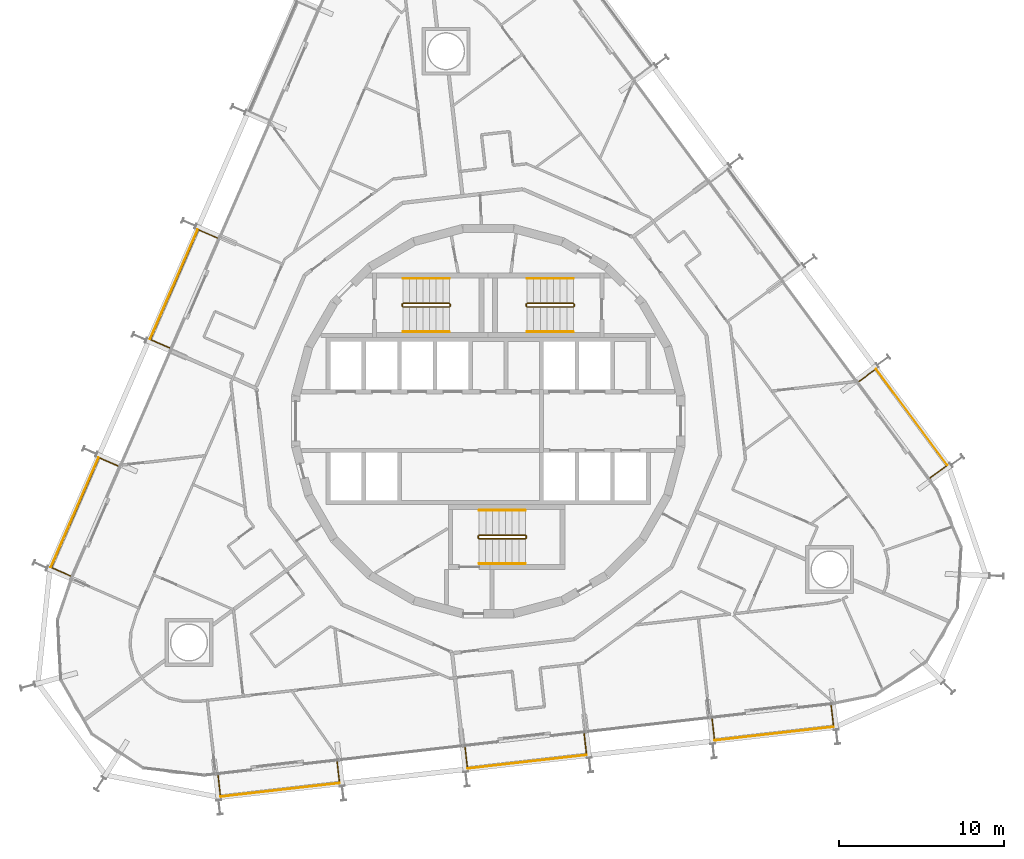
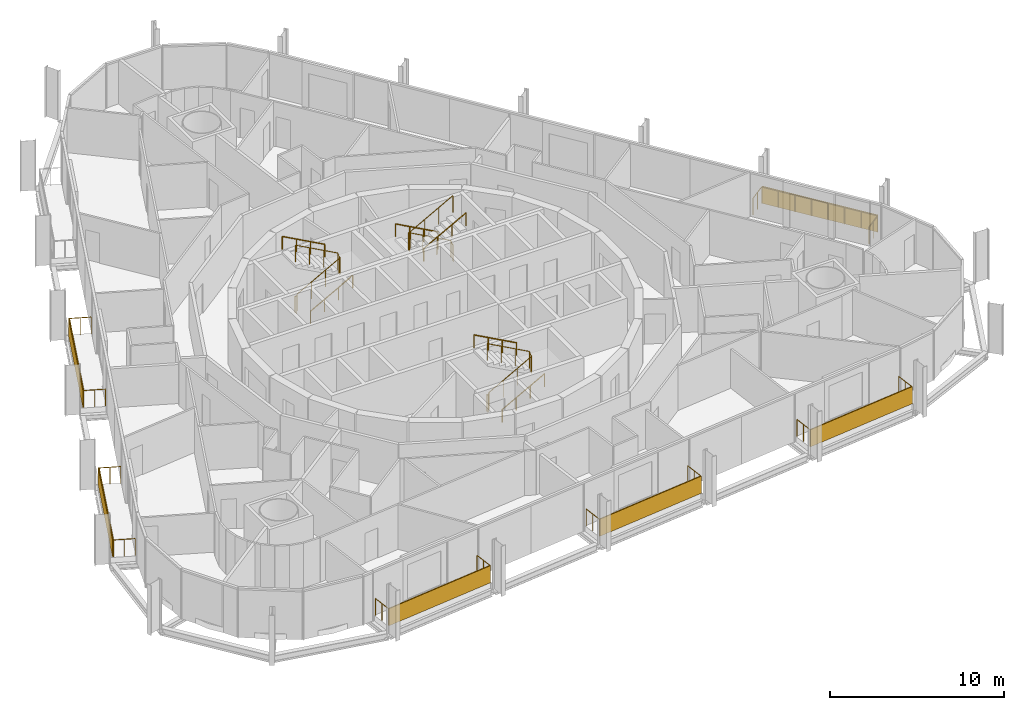
# One storey, part 23 of 24: 15 railings, 6 shading devices.
"""IFC4 building model written with IfcOpenShell, lengths in metres."""

from ifc_helpers import new_model, si_unit, direction, frame, origin, origin_2d, place, context, subcontext, project, spatial, rectangle, circle, extrude, material, layer, layer_set, type_object, element, save


model = new_model("IFC4")

# Units and contexts
model_context = context("Model", 3, precision=1e-05, world=origin(), true_north=direction((0.0, 1.0)))
body_context = subcontext(model_context, "Body", "Model", "MODEL_VIEW")
ifc_project = project(units=[si_unit("LENGTHUNIT", "METRE"), si_unit("AREAUNIT", "SQUARE_METRE"), si_unit("VOLUMEUNIT", "CUBIC_METRE"), si_unit("PLANEANGLEUNIT", "RADIAN"), si_unit("MASSUNIT", "GRAM", prefix="KILO")], contexts=[model_context])

# Site, building, storey
site_placement = place(None, origin())
site = spatial("IfcSite", under=ifc_project, at=site_placement, CompositionType="ELEMENT")
building_placement = place(site_placement, origin())
building = spatial("IfcBuilding", under=site, at=building_placement, Name="Spindle Arch Residences", CompositionType="ELEMENT")
storey_placement = place(building_placement, frame((0.0, 0.0, 101.199951171875)))
storey = spatial("IfcBuildingStorey", under=building, at=storey_placement, Name="L24", CompositionType="ELEMENT", Elevation=101.199951171875)

# Railings
ifc_material_1 = material(Name="Bronze anodised aluminium guard with glass infill", Category="aluminium")
railing_type_1 = type_object("IfcRailingType", Name="Balcony guard 1200", PredefinedType="GUARDRAIL", material=ifc_material_1)
railing_1_placement = place(storey_placement, frame((13.54150390625, -18.030517578125, 0.0)))
element("IfcRailing", 1, at=railing_1_placement, inside=storey, type_object=railing_type_1, Name="Guard L24 bay 2", PredefinedType="GUARDRAIL", context=body_context, shape_type="SweptSolid", body=[
    extrude(circle(Radius=0.02392578125, at=origin_2d()), frame((0.0, 0.0, 1.17578125), z_axis=(0.113089367196, -0.993584820248, 0.0), x_axis=(0.993584820248, 0.113089367196, 0.0)), (0.0, 0.0, 1.0), 1.25),
    extrude(circle(Radius=0.02392578125, at=origin_2d()), frame((0.141357421875, -1.241943359375, 1.17578125), z_axis=(0.993572236179, 0.113199874095, 0.0), x_axis=(-0.113199874095, 0.993572236179, 0.0)), (0.0, 0.0, 1.0), 7.248779296875),
    extrude(circle(Radius=0.02392578125, at=origin_2d()), frame((7.343505859375, -0.42138671875, 1.17578125), z_axis=(-0.113089367196, 0.993584820248, 0.0), x_axis=(-0.993584820248, -0.113089367196, 0.0)), (0.0, 0.0, 1.0), 1.25),
    extrude(circle(Radius=0.02099609375, at=origin_2d()), origin(), (0.0, 0.0, 1.0), 1.15185546875),
    extrude(circle(Radius=0.02099609375, at=origin_2d()), frame((0.07080078125, -0.62109375, 0.0)), (0.0, 0.0, 1.0), 1.15185546875),
    extrude(circle(Radius=0.02099609375, at=origin_2d()), frame((0.141357421875, -1.241943359375, 0.0)), (0.0, 0.0, 1.0), 1.15185546875),
    extrude(circle(Radius=0.02099609375, at=origin_2d()), frame((1.170166015625, -1.124755859375, 0.0)), (0.0, 0.0, 1.0), 1.15185546875),
    extrude(circle(Radius=0.02099609375, at=origin_2d()), frame((2.19921875, -1.007568359375, 0.0)), (0.0, 0.0, 1.0), 1.15185546875),
    extrude(circle(Radius=0.02099609375, at=origin_2d()), frame((3.22802734375, -0.890380859375, 0.0)), (0.0, 0.0, 1.0), 1.15185546875),
    extrude(circle(Radius=0.02099609375, at=origin_2d()), frame((4.2568359375, -0.77294921875, 0.0)), (0.0, 0.0, 1.0), 1.15185546875),
    extrude(circle(Radius=0.02099609375, at=origin_2d()), frame((5.28564453125, -0.65576171875, 0.0)), (0.0, 0.0, 1.0), 1.15185546875),
    extrude(circle(Radius=0.02099609375, at=origin_2d()), frame((6.314697265625, -0.53857421875, 0.0)), (0.0, 0.0, 1.0), 1.15185546875),
    extrude(circle(Radius=0.02099609375, at=origin_2d()), frame((7.343505859375, -0.42138671875, 0.0)), (0.0, 0.0, 1.0), 1.15185546875),
    extrude(circle(Radius=0.02099609375, at=origin_2d()), frame((7.27294921875, 0.19970703125, 0.0)), (0.0, 0.0, 1.0), 1.15185546875),
    extrude(circle(Radius=0.02099609375, at=origin_2d()), frame((7.2021484375, 0.820556640625, 0.0)), (0.0, 0.0, 1.0), 1.15185546875),
])
railing_2_placement = place(storey_placement, frame((26.733642578125, -3.433837890625, 0.0)))
element("IfcRailing", 2, at=railing_2_placement, inside=storey, type_object=railing_type_1, Name="Guard L24 bay 6", PredefinedType="GUARDRAIL", context=body_context, shape_type="SweptSolid", body=[
    extrude(circle(Radius=0.02392578125, at=origin_2d()), frame((0.0, 0.0, 1.17578125), z_axis=(0.803826957932, 0.594863195787, 0.0), x_axis=(-0.594863195787, 0.803826957932, 0.0)), (0.0, 0.0, 1.0), 1.250244140625),
    extrude(circle(Radius=0.02392578125, at=origin_2d()), frame((1.0048828125, 0.74365234375, 1.17578125), z_axis=(-0.594830382786, 0.803851239792, 0.0), x_axis=(-0.803851239792, -0.594830382786, 0.0)), (0.0, 0.0, 1.0), 7.248779296875),
    extrude(circle(Radius=0.02392578125, at=origin_2d()), frame((-3.306884765625, 6.570556640625, 1.17578125), z_axis=(-0.803920341668, -0.594736987459, 0.0), x_axis=(0.594736987459, -0.803920341668, 0.0)), (0.0, 0.0, 1.0), 1.25),
    extrude(circle(Radius=0.02099609375, at=origin_2d()), origin(), (0.0, 0.0, 1.0), 1.15185546875),
    extrude(circle(Radius=0.02099609375, at=origin_2d()), frame((0.50244140625, 0.371826171875, 0.0)), (0.0, 0.0, 1.0), 1.15185546875),
    extrude(circle(Radius=0.02099609375, at=origin_2d()), frame((1.0048828125, 0.74365234375, 0.0)), (0.0, 0.0, 1.0), 1.15185546875),
    extrude(circle(Radius=0.02099609375, at=origin_2d()), frame((0.388916015625, 1.576171875, 0.0)), (0.0, 0.0, 1.0), 1.15185546875),
    extrude(circle(Radius=0.02099609375, at=origin_2d()), frame((-0.22705078125, 2.408447265625, 0.0)), (0.0, 0.0, 1.0), 1.15185546875),
    extrude(circle(Radius=0.02099609375, at=origin_2d()), frame((-0.843017578125, 3.240966796875, 0.0)), (0.0, 0.0, 1.0), 1.15185546875),
    extrude(circle(Radius=0.02099609375, at=origin_2d()), frame((-1.458984375, 4.0732421875, 0.0)), (0.0, 0.0, 1.0), 1.15185546875),
    extrude(circle(Radius=0.02099609375, at=origin_2d()), frame((-2.074951171875, 4.90576171875, 0.0)), (0.0, 0.0, 1.0), 1.15185546875),
    extrude(circle(Radius=0.02099609375, at=origin_2d()), frame((-2.69091796875, 5.738037109375, 0.0)), (0.0, 0.0, 1.0), 1.15185546875),
    extrude(circle(Radius=0.02099609375, at=origin_2d()), frame((-3.306884765625, 6.570556640625, 0.0)), (0.0, 0.0, 1.0), 1.15185546875),
    extrude(circle(Radius=0.02099609375, at=origin_2d()), frame((-3.809326171875, 6.19873046875, 0.0)), (0.0, 0.0, 1.0), 1.15185546875),
    extrude(circle(Radius=0.02099609375, at=origin_2d()), frame((-4.311767578125, 5.8271484375, 0.0)), (0.0, 0.0, 1.0), 1.15185546875),
])
railing_3_placement = place(storey_placement, frame((-16.389404296875, 11.078369140625, 0.0)))
element("IfcRailing", 3, at=railing_3_placement, inside=storey, type_object=railing_type_1, Name="Guard L24 bay 16", PredefinedType="GUARDRAIL", context=body_context, shape_type="SweptSolid", body=[
    extrude(circle(Radius=0.02392578125, at=origin_2d()), frame((0.0, 0.0, 1.17578125), z_axis=(-0.917020365572, 0.398840380511, 0.0), x_axis=(-0.398840380511, -0.917020365572, 0.0)), (0.0, 0.0, 1.0), 1.25),
    extrude(circle(Radius=0.02392578125, at=origin_2d()), frame((-1.146240234375, 0.49853515625, 1.17578125), z_axis=(-0.398734732131, -0.917066308067, 0.0), x_axis=(0.917066308067, -0.398734732131, 0.0)), (0.0, 0.0, 1.0), 7.248779296875),
    extrude(circle(Radius=0.02392578125, at=origin_2d()), frame((-4.03662109375, -6.149169921875, 1.17578125), z_axis=(0.917091793142, -0.398676112844, 0.0), x_axis=(0.398676112844, 0.917091793142, 0.0)), (0.0, 0.0, 1.0), 1.249755859375),
    extrude(circle(Radius=0.02099609375, at=origin_2d()), origin(), (0.0, 0.0, 1.0), 1.15185546875),
    extrude(circle(Radius=0.02099609375, at=origin_2d()), frame((-0.5732421875, 0.249267578125, 0.0)), (0.0, 0.0, 1.0), 1.15185546875),
    extrude(circle(Radius=0.02099609375, at=origin_2d()), frame((-1.146240234375, 0.49853515625, 0.0)), (0.0, 0.0, 1.0), 1.15185546875),
    extrude(circle(Radius=0.02099609375, at=origin_2d()), frame((-1.55908203125, -0.451171875, 0.0)), (0.0, 0.0, 1.0), 1.15185546875),
    extrude(circle(Radius=0.02099609375, at=origin_2d()), frame((-1.97216796875, -1.40087890625, 0.0)), (0.0, 0.0, 1.0), 1.15185546875),
    extrude(circle(Radius=0.02099609375, at=origin_2d()), frame((-2.385009765625, -2.3505859375, 0.0)), (0.0, 0.0, 1.0), 1.15185546875),
    extrude(circle(Radius=0.02099609375, at=origin_2d()), frame((-2.7978515625, -3.300048828125, 0.0)), (0.0, 0.0, 1.0), 1.15185546875),
    extrude(circle(Radius=0.02099609375, at=origin_2d()), frame((-3.210693359375, -4.249755859375, 0.0)), (0.0, 0.0, 1.0), 1.15185546875),
    extrude(circle(Radius=0.02099609375, at=origin_2d()), frame((-3.623779296875, -5.199462890625, 0.0)), (0.0, 0.0, 1.0), 1.15185546875),
    extrude(circle(Radius=0.02099609375, at=origin_2d()), frame((-4.03662109375, -6.149169921875, 0.0)), (0.0, 0.0, 1.0), 1.15185546875),
    extrude(circle(Radius=0.02099609375, at=origin_2d()), frame((-3.46337890625, -6.3984375, 0.0)), (0.0, 0.0, 1.0), 1.15185546875),
    extrude(circle(Radius=0.02099609375, at=origin_2d()), frame((-2.890380859375, -6.6474609375, 0.0)), (0.0, 0.0, 1.0), 1.15185546875),
])
railing_4_placement = place(storey_placement, frame((-22.385498046875, -2.7119140625, 0.0)))
element("IfcRailing", 4, at=railing_4_placement, inside=storey, type_object=railing_type_1, Name="Guard L24 bay 18", PredefinedType="GUARDRAIL", context=body_context, shape_type="SweptSolid", body=[
    extrude(circle(Radius=0.02392578125, at=origin_2d()), frame((0.0, 0.0, 1.17578125), z_axis=(-0.917122831658, 0.398604706008, 0.0), x_axis=(-0.398604706008, -0.917122831658, 0.0)), (0.0, 0.0, 1.0), 1.25),
    extrude(circle(Radius=0.02392578125, at=origin_2d()), frame((-1.146484375, 0.498291015625, 1.17578125), z_axis=(-0.398747048027, -0.917060953094, 0.0), x_axis=(0.917060953094, -0.398747048027, 0.0)), (0.0, 0.0, 1.0), 7.248779296875),
    extrude(circle(Radius=0.02392578125, at=origin_2d()), frame((-4.036865234375, -6.149169921875, 1.17578125), z_axis=(0.917020365572, -0.398840380511, 0.0), x_axis=(0.398840380511, 0.917020365572, 0.0)), (0.0, 0.0, 1.0), 1.25),
    extrude(circle(Radius=0.02099609375, at=origin_2d()), origin(), (0.0, 0.0, 1.0), 1.15185546875),
    extrude(circle(Radius=0.02099609375, at=origin_2d()), frame((-0.5732421875, 0.2490234375, 0.0)), (0.0, 0.0, 1.0), 1.15185546875),
    extrude(circle(Radius=0.02099609375, at=origin_2d()), frame((-1.146484375, 0.498291015625, 0.0)), (0.0, 0.0, 1.0), 1.15185546875),
    extrude(circle(Radius=0.02099609375, at=origin_2d()), frame((-1.559326171875, -0.451416015625, 0.0)), (0.0, 0.0, 1.0), 1.15185546875),
    extrude(circle(Radius=0.02099609375, at=origin_2d()), frame((-1.972412109375, -1.40087890625, 0.0)), (0.0, 0.0, 1.0), 1.15185546875),
    extrude(circle(Radius=0.02099609375, at=origin_2d()), frame((-2.38525390625, -2.3505859375, 0.0)), (0.0, 0.0, 1.0), 1.15185546875),
    extrude(circle(Radius=0.02099609375, at=origin_2d()), frame((-2.798095703125, -3.30029296875, 0.0)), (0.0, 0.0, 1.0), 1.15185546875),
    extrude(circle(Radius=0.02099609375, at=origin_2d()), frame((-3.2109375, -4.25, 0.0)), (0.0, 0.0, 1.0), 1.15185546875),
    extrude(circle(Radius=0.02099609375, at=origin_2d()), frame((-3.6240234375, -5.199462890625, 0.0)), (0.0, 0.0, 1.0), 1.15185546875),
    extrude(circle(Radius=0.02099609375, at=origin_2d()), frame((-4.036865234375, -6.149169921875, 0.0)), (0.0, 0.0, 1.0), 1.15185546875),
    extrude(circle(Radius=0.02099609375, at=origin_2d()), frame((-3.4638671875, -6.3984375, 0.0)), (0.0, 0.0, 1.0), 1.15185546875),
    extrude(circle(Radius=0.02099609375, at=origin_2d()), frame((-2.890625, -6.647705078125, 0.0)), (0.0, 0.0, 1.0), 1.15185546875),
])
railing_5_placement = place(storey_placement, frame((-16.340576171875, -21.43505859375, 0.0)))
element("IfcRailing", 5, at=railing_5_placement, inside=storey, type_object=railing_type_1, Name="Guard L24 bay 22", PredefinedType="GUARDRAIL", context=body_context, shape_type="SweptSolid", body=[
    extrude(circle(Radius=0.02392578125, at=origin_2d()), frame((0.0, 0.0, 1.17578125), z_axis=(0.11328218126, -0.993562855289, 0.0), x_axis=(0.993562855289, 0.11328218126, 0.0)), (0.0, 0.0, 1.0), 1.25),
    extrude(circle(Radius=0.02392578125, at=origin_2d()), frame((0.1416015625, -1.241943359375, 1.17578125), z_axis=(0.993572236179, 0.113199874095, 0.0), x_axis=(-0.113199874095, 0.993572236179, 0.0)), (0.0, 0.0, 1.0), 7.248779296875),
    extrude(circle(Radius=0.02392578125, at=origin_2d()), frame((7.34375, -0.42138671875, 1.17578125), z_axis=(-0.11328218126, 0.993562855289, 0.0), x_axis=(-0.993562855289, -0.11328218126, 0.0)), (0.0, 0.0, 1.0), 1.25),
    extrude(circle(Radius=0.02099609375, at=origin_2d()), origin(), (0.0, 0.0, 1.0), 1.15185546875),
    extrude(circle(Radius=0.02099609375, at=origin_2d()), frame((0.07080078125, -0.62109375, 0.0)), (0.0, 0.0, 1.0), 1.15185546875),
    extrude(circle(Radius=0.02099609375, at=origin_2d()), frame((0.1416015625, -1.241943359375, 0.0)), (0.0, 0.0, 1.0), 1.15185546875),
    extrude(circle(Radius=0.02099609375, at=origin_2d()), frame((1.17041015625, -1.124755859375, 0.0)), (0.0, 0.0, 1.0), 1.15185546875),
    extrude(circle(Radius=0.02099609375, at=origin_2d()), frame((2.199462890625, -1.007568359375, 0.0)), (0.0, 0.0, 1.0), 1.15185546875),
    extrude(circle(Radius=0.02099609375, at=origin_2d()), frame((3.228271484375, -0.890380859375, 0.0)), (0.0, 0.0, 1.0), 1.15185546875),
    extrude(circle(Radius=0.02099609375, at=origin_2d()), frame((4.257080078125, -0.77294921875, 0.0)), (0.0, 0.0, 1.0), 1.15185546875),
    extrude(circle(Radius=0.02099609375, at=origin_2d()), frame((5.285888671875, -0.65576171875, 0.0)), (0.0, 0.0, 1.0), 1.15185546875),
    extrude(circle(Radius=0.02099609375, at=origin_2d()), frame((6.31494140625, -0.53857421875, 0.0)), (0.0, 0.0, 1.0), 1.15185546875),
    extrude(circle(Radius=0.02099609375, at=origin_2d()), frame((7.34375, -0.42138671875, 0.0)), (0.0, 0.0, 1.0), 1.15185546875),
    extrude(circle(Radius=0.02099609375, at=origin_2d()), frame((7.27294921875, 0.19970703125, 0.0)), (0.0, 0.0, 1.0), 1.15185546875),
    extrude(circle(Radius=0.02099609375, at=origin_2d()), frame((7.2021484375, 0.820556640625, 0.0)), (0.0, 0.0, 1.0), 1.15185546875),
])
railing_6_placement = place(storey_placement, frame((-1.399658203125, -19.73291015625, 0.0)))
element("IfcRailing", 6, at=railing_6_placement, inside=storey, type_object=railing_type_1, Name="Guard L24 bay 24", PredefinedType="GUARDRAIL", context=body_context, shape_type="SweptSolid", body=[
    extrude(circle(Radius=0.02392578125, at=origin_2d()), frame((0.0, 0.0, 1.17578125), z_axis=(0.11328218126, -0.993562855289, 0.0), x_axis=(0.993562855289, 0.11328218126, 0.0)), (0.0, 0.0, 1.0), 1.25),
    extrude(circle(Radius=0.02392578125, at=origin_2d()), frame((0.1416015625, -1.241943359375, 1.17578125), z_axis=(0.993572236179, 0.113199874095, 0.0), x_axis=(-0.113199874095, 0.993572236179, 0.0)), (0.0, 0.0, 1.0), 7.248779296875),
    extrude(circle(Radius=0.02392578125, at=origin_2d()), frame((7.34375, -0.42138671875, 1.17578125), z_axis=(-0.113067424691, 0.993587317488, 0.0), x_axis=(-0.993587317488, -0.113067424691, 0.0)), (0.0, 0.0, 1.0), 1.250244140625),
    extrude(circle(Radius=0.02099609375, at=origin_2d()), origin(), (0.0, 0.0, 1.0), 1.15185546875),
    extrude(circle(Radius=0.02099609375, at=origin_2d()), frame((0.07080078125, -0.62109375, 0.0)), (0.0, 0.0, 1.0), 1.15185546875),
    extrude(circle(Radius=0.02099609375, at=origin_2d()), frame((0.1416015625, -1.241943359375, 0.0)), (0.0, 0.0, 1.0), 1.15185546875),
    extrude(circle(Radius=0.02099609375, at=origin_2d()), frame((1.17041015625, -1.124755859375, 0.0)), (0.0, 0.0, 1.0), 1.15185546875),
    extrude(circle(Radius=0.02099609375, at=origin_2d()), frame((2.199462890625, -1.007568359375, 0.0)), (0.0, 0.0, 1.0), 1.15185546875),
    extrude(circle(Radius=0.02099609375, at=origin_2d()), frame((3.228271484375, -0.890380859375, 0.0)), (0.0, 0.0, 1.0), 1.15185546875),
    extrude(circle(Radius=0.02099609375, at=origin_2d()), frame((4.257080078125, -0.77294921875, 0.0)), (0.0, 0.0, 1.0), 1.15185546875),
    extrude(circle(Radius=0.02099609375, at=origin_2d()), frame((5.285888671875, -0.65576171875, 0.0)), (0.0, 0.0, 1.0), 1.15185546875),
    extrude(circle(Radius=0.02099609375, at=origin_2d()), frame((6.31494140625, -0.53857421875, 0.0)), (0.0, 0.0, 1.0), 1.15185546875),
    extrude(circle(Radius=0.02099609375, at=origin_2d()), frame((7.34375, -0.42138671875, 0.0)), (0.0, 0.0, 1.0), 1.15185546875),
    extrude(circle(Radius=0.02099609375, at=origin_2d()), frame((7.27294921875, 0.19970703125, 0.0)), (0.0, 0.0, 1.0), 1.15185546875),
    extrude(circle(Radius=0.02099609375, at=origin_2d()), frame((7.202392578125, 0.82080078125, 0.0)), (0.0, 0.0, 1.0), 1.15185546875),
])

# Shading devices
ifc_material_2 = material(Name="Bronze perforated cobogo screen")
ifc_layer = layer(ifc_material_2, 0.0390625)
ifc_layer_set = layer_set([ifc_layer], Name="Cobogo screen 1200")
shading_device_type = type_object("IfcShadingDeviceType", Name="Cobogo screen 1200", PredefinedType="USERDEFINED", material=ifc_layer_set)
for number, where, z_axis, x_axis, name in (
    (7, (17.28857421875, -18.90234375, 0.0), (0.0, 0.0, 1.0), (0.993571855677, 0.113203213768, 0.0), "Cobogo screen L24 bay 2"),
    (8, (25.615234375, 0.247314453125, 0.0), (0.0, 0.0, 1.0), (-0.594822786751, 0.803856860617, 0.0), "Cobogo screen L24 bay 6"),
    (9, (-19.01806640625, 8.269287109375, 0.0), (0.0, 0.0, 1.0), (-0.398749068925, -0.917060074385, 0.0), "Cobogo screen L24 bay 16"),
    (10, (-25.01416015625, -5.521240234375, 0.0), (0.0, 0.0, 1.0), (-0.398749068925, -0.917060074385, 0.0), "Cobogo screen L24 bay 18"),
    (11, (-12.59326171875, -22.30712890625, 0.0), (0.0, 0.0, 1.0), (0.993571855677, 0.113203213768, 0.0), "Cobogo screen L24 bay 22"),
    (12, (2.34765625, -20.604736328125, 0.0), (0.0, 0.0, 1.0), (0.993571855677, 0.113203213768, 0.0), "Cobogo screen L24 bay 24"),
):
    element("IfcShadingDevice", number, at=place(storey_placement, frame(where, z_axis=z_axis, x_axis=x_axis)), inside=storey, type_object=shading_device_type, Name=name, ObjectType="SCREEN", PredefinedType="USERDEFINED", context=body_context, shape_type="SweptSolid", body=[
        extrude(rectangle(XDim=7.248779296875, YDim=0.0390625, at=origin_2d()), origin(), (0.0, 0.0, 1.0), 1.199951171875),
    ])

# Railings
ifc_material_3 = material(Name="Steel, painted", Category="steel")
railing_type_2 = type_object("IfcRailingType", Name="Stair guard 1100", PredefinedType="GUARDRAIL", material=ifc_material_3)
railing_7_placement = place(storey_placement, frame((5.14990234375, 6.89990234375, 3.5)))
element("IfcRailing", 13, at=railing_7_placement, inside=storey, type_object=railing_type_2, Name="L24 ST1 stair guard 1", PredefinedType="GUARDRAIL", context=body_context, shape_type="SweptSolid", body=[
    extrude(circle(Radius=0.02392578125, at=origin_2d()), frame((0.0, 0.0, 1.17578125), z_axis=(-0.877357048833, 0.0, -0.479838106931), x_axis=(0.0, -1.0, 0.0)), (0.0, 0.0, 1.0), 3.191162109375),
    extrude(circle(Radius=0.02392578125, at=origin_2d()), frame((-2.7998046875, 0.0, -0.35546875), z_axis=(-0.217683172539, 0.217683172539, -0.951434744366), x_axis=(-0.707106781187, -0.707106781187, 0.0)), (0.0, 0.0, 1.0), 0.22998046875),
    extrude(circle(Radius=0.02392578125, at=origin_2d()), frame((-2.849853515625, 0.050048828125, -0.57421875), z_axis=(0.0, 1.0, 0.0), x_axis=(-1.0, 0.0, 0.0)), (0.0, 0.0, 1.0), 0.1201171875),
    extrude(circle(Radius=0.02392578125, at=origin_2d()), frame((-2.849853515625, 0.170166015625, -0.57421875), z_axis=(0.707106781187, 0.707106781187, 0.0), x_axis=(-0.707106781187, 0.707106781187, 0.0)), (0.0, 0.0, 1.0), 0.07080078125),
    extrude(circle(Radius=0.02392578125, at=origin_2d()), frame((-2.7998046875, 0.22021484375, -0.57421875), z_axis=(0.877357048833, 0.0, -0.479838106931), x_axis=(0.0, 1.0, 0.0)), (0.0, 0.0, 1.0), 3.191162109375),
    extrude(circle(Radius=0.02392578125, at=origin_2d()), frame((0.0, 0.22021484375, -2.10546875), z_axis=(0.217683172539, -0.217683172539, -0.951434744366), x_axis=(0.707106781187, 0.707106781187, 0.0)), (0.0, 0.0, 1.0), 0.22998046875),
    extrude(circle(Radius=0.02392578125, at=origin_2d()), frame((0.050048828125, 0.170166015625, -2.32421875), z_axis=(0.0, -1.0, 0.0), x_axis=(1.0, 0.0, 0.0)), (0.0, 0.0, 1.0), 0.1201171875),
    extrude(circle(Radius=0.02099609375, at=origin_2d()), origin(), (0.0, 0.0, 1.0), 1.15185546875),
    extrude(circle(Radius=0.02099609375, at=origin_2d()), frame((-0.933349609375, 0.0, -0.510498046875)), (0.0, 0.0, 1.0), 1.15185546875),
    extrude(circle(Radius=0.02099609375, at=origin_2d()), frame((-1.866455078125, 0.0, -1.020751953125)), (0.0, 0.0, 1.0), 1.15185546875),
    extrude(circle(Radius=0.02099609375, at=origin_2d()), frame((-2.7998046875, 0.0, -1.53125)), (0.0, 0.0, 1.0), 1.15185546875),
    extrude(circle(Radius=0.02099609375, at=origin_2d()), frame((-2.849853515625, 0.050048828125, -1.75)), (0.0, 0.0, 1.0), 1.15185546875),
    extrude(circle(Radius=0.02099609375, at=origin_2d()), frame((-2.849853515625, 0.170166015625, -1.75)), (0.0, 0.0, 1.0), 1.15185546875),
    extrude(circle(Radius=0.02099609375, at=origin_2d()), frame((-2.7998046875, 0.22021484375, -1.75)), (0.0, 0.0, 1.0), 1.15185546875),
    extrude(circle(Radius=0.02099609375, at=origin_2d()), frame((-1.866455078125, 0.22021484375, -2.260498046875)), (0.0, 0.0, 1.0), 1.15185546875),
    extrude(circle(Radius=0.02099609375, at=origin_2d()), frame((-0.933349609375, 0.22021484375, -2.770751953125)), (0.0, 0.0, 1.0), 1.15185546875),
    extrude(circle(Radius=0.02099609375, at=origin_2d()), frame((0.0, 0.22021484375, -3.28125)), (0.0, 0.0, 1.0), 1.15185546875),
    extrude(circle(Radius=0.02099609375, at=origin_2d()), frame((0.050048828125, 0.170166015625, -3.5)), (0.0, 0.0, 1.0), 1.15185546875),
    extrude(circle(Radius=0.02099609375, at=origin_2d()), frame((0.050048828125, 0.050048828125, -3.5)), (0.0, 0.0, 1.0), 1.15185546875),
])
railing_8_placement = place(storey_placement, frame((-5.14990234375, 7.1201171875, 3.5)))
element("IfcRailing", 14, at=railing_8_placement, inside=storey, type_object=railing_type_2, Name="L24 ST2 stair guard 1", PredefinedType="GUARDRAIL", context=body_context, shape_type="SweptSolid", body=[
    extrude(circle(Radius=0.02392578125, at=origin_2d()), frame((0.0, 0.0, 1.17578125), z_axis=(0.877357048833, 0.0, -0.479838106931), x_axis=(0.0, 1.0, 0.0)), (0.0, 0.0, 1.0), 3.191162109375),
    extrude(circle(Radius=0.02392578125, at=origin_2d()), frame((2.7998046875, 0.0, -0.35546875), z_axis=(0.217683172539, -0.217683172539, -0.951434744366), x_axis=(0.707106781187, 0.707106781187, 0.0)), (0.0, 0.0, 1.0), 0.22998046875),
    extrude(circle(Radius=0.02392578125, at=origin_2d()), frame((2.849853515625, -0.050048828125, -0.57421875), z_axis=(0.0, -1.0, 0.0), x_axis=(1.0, 0.0, 0.0)), (0.0, 0.0, 1.0), 0.1201171875),
    extrude(circle(Radius=0.02392578125, at=origin_2d()), frame((2.849853515625, -0.170166015625, -0.57421875), z_axis=(-0.707106781187, -0.707106781187, 0.0), x_axis=(0.707106781187, -0.707106781187, 0.0)), (0.0, 0.0, 1.0), 0.07080078125),
    extrude(circle(Radius=0.02392578125, at=origin_2d()), frame((2.7998046875, -0.22021484375, -0.57421875), z_axis=(-0.877357048833, 0.0, -0.479838106931), x_axis=(0.0, -1.0, 0.0)), (0.0, 0.0, 1.0), 3.191162109375),
    extrude(circle(Radius=0.02392578125, at=origin_2d()), frame((0.0, -0.22021484375, -2.10546875), z_axis=(-0.217683172539, 0.217683172539, -0.951434744366), x_axis=(-0.707106781187, -0.707106781187, 0.0)), (0.0, 0.0, 1.0), 0.22998046875),
    extrude(circle(Radius=0.02392578125, at=origin_2d()), frame((-0.050048828125, -0.170166015625, -2.32421875), z_axis=(0.0, 1.0, 0.0), x_axis=(-1.0, 0.0, 0.0)), (0.0, 0.0, 1.0), 0.1201171875),
    extrude(circle(Radius=0.02099609375, at=origin_2d()), origin(), (0.0, 0.0, 1.0), 1.15185546875),
    extrude(circle(Radius=0.02099609375, at=origin_2d()), frame((0.933349609375, 0.0, -0.510498046875)), (0.0, 0.0, 1.0), 1.15185546875),
    extrude(circle(Radius=0.02099609375, at=origin_2d()), frame((1.866455078125, 0.0, -1.020751953125)), (0.0, 0.0, 1.0), 1.15185546875),
    extrude(circle(Radius=0.02099609375, at=origin_2d()), frame((2.7998046875, 0.0, -1.53125)), (0.0, 0.0, 1.0), 1.15185546875),
    extrude(circle(Radius=0.02099609375, at=origin_2d()), frame((2.849853515625, -0.050048828125, -1.75)), (0.0, 0.0, 1.0), 1.15185546875),
    extrude(circle(Radius=0.02099609375, at=origin_2d()), frame((2.849853515625, -0.170166015625, -1.75)), (0.0, 0.0, 1.0), 1.15185546875),
    extrude(circle(Radius=0.02099609375, at=origin_2d()), frame((2.7998046875, -0.22021484375, -1.75)), (0.0, 0.0, 1.0), 1.15185546875),
    extrude(circle(Radius=0.02099609375, at=origin_2d()), frame((1.866455078125, -0.22021484375, -2.260498046875)), (0.0, 0.0, 1.0), 1.15185546875),
    extrude(circle(Radius=0.02099609375, at=origin_2d()), frame((0.933349609375, -0.22021484375, -2.770751953125)), (0.0, 0.0, 1.0), 1.15185546875),
    extrude(circle(Radius=0.02099609375, at=origin_2d()), frame((0.0, -0.22021484375, -3.28125)), (0.0, 0.0, 1.0), 1.15185546875),
    extrude(circle(Radius=0.02099609375, at=origin_2d()), frame((-0.050048828125, -0.170166015625, -3.5)), (0.0, 0.0, 1.0), 1.15185546875),
    extrude(circle(Radius=0.02099609375, at=origin_2d()), frame((-0.050048828125, -0.050048828125, -3.5)), (0.0, 0.0, 1.0), 1.15185546875),
])
railing_9_placement = place(storey_placement, frame((-0.550048828125, -6.89990234375, 3.5)))
element("IfcRailing", 15, at=railing_9_placement, inside=storey, type_object=railing_type_2, Name="L24 ST3 stair guard 1", PredefinedType="GUARDRAIL", context=body_context, shape_type="SweptSolid", body=[
    extrude(circle(Radius=0.02392578125, at=origin_2d()), frame((0.0, 0.0, 1.17578125), z_axis=(0.877374661878, 0.0, -0.479805901063), x_axis=(0.0, 1.0, 0.0)), (0.0, 0.0, 1.0), 3.19140625),
    extrude(circle(Radius=0.02392578125, at=origin_2d()), frame((2.800048828125, 0.0, -0.35546875), z_axis=(0.217683172539, -0.217683172539, -0.951434744366), x_axis=(0.707106781187, 0.707106781187, 0.0)), (0.0, 0.0, 1.0), 0.22998046875),
    extrude(circle(Radius=0.02392578125, at=origin_2d()), frame((2.85009765625, -0.050048828125, -0.57421875), z_axis=(0.0, -1.0, 0.0), x_axis=(1.0, 0.0, 0.0)), (0.0, 0.0, 1.0), 0.1201171875),
    extrude(circle(Radius=0.02392578125, at=origin_2d()), frame((2.85009765625, -0.170166015625, -0.57421875), z_axis=(-0.707106781187, -0.707106781187, 0.0), x_axis=(0.707106781187, -0.707106781187, 0.0)), (0.0, 0.0, 1.0), 0.07080078125),
    extrude(circle(Radius=0.02392578125, at=origin_2d()), frame((2.800048828125, -0.22021484375, -0.57421875), z_axis=(-0.877374661878, 0.0, -0.479805901063), x_axis=(0.0, -1.0, 0.0)), (0.0, 0.0, 1.0), 3.19140625),
    extrude(circle(Radius=0.02392578125, at=origin_2d()), frame((0.0, -0.22021484375, -2.10546875), z_axis=(-0.217683172539, 0.217683172539, -0.951434744366), x_axis=(-0.707106781187, -0.707106781187, 0.0)), (0.0, 0.0, 1.0), 0.22998046875),
    extrude(circle(Radius=0.02392578125, at=origin_2d()), frame((-0.050048828125, -0.170166015625, -2.32421875), z_axis=(0.0, 1.0, 0.0), x_axis=(-1.0, 0.0, 0.0)), (0.0, 0.0, 1.0), 0.1201171875),
    extrude(circle(Radius=0.02099609375, at=origin_2d()), origin(), (0.0, 0.0, 1.0), 1.15185546875),
    extrude(circle(Radius=0.02099609375, at=origin_2d()), frame((0.933349609375, 0.0, -0.510498046875)), (0.0, 0.0, 1.0), 1.15185546875),
    extrude(circle(Radius=0.02099609375, at=origin_2d()), frame((1.86669921875, 0.0, -1.020751953125)), (0.0, 0.0, 1.0), 1.15185546875),
    extrude(circle(Radius=0.02099609375, at=origin_2d()), frame((2.800048828125, 0.0, -1.53125)), (0.0, 0.0, 1.0), 1.15185546875),
    extrude(circle(Radius=0.02099609375, at=origin_2d()), frame((2.85009765625, -0.050048828125, -1.75)), (0.0, 0.0, 1.0), 1.15185546875),
    extrude(circle(Radius=0.02099609375, at=origin_2d()), frame((2.85009765625, -0.170166015625, -1.75)), (0.0, 0.0, 1.0), 1.15185546875),
    extrude(circle(Radius=0.02099609375, at=origin_2d()), frame((2.800048828125, -0.22021484375, -1.75)), (0.0, 0.0, 1.0), 1.15185546875),
    extrude(circle(Radius=0.02099609375, at=origin_2d()), frame((1.86669921875, -0.22021484375, -2.260498046875)), (0.0, 0.0, 1.0), 1.15185546875),
    extrude(circle(Radius=0.02099609375, at=origin_2d()), frame((0.933349609375, -0.22021484375, -2.770751953125)), (0.0, 0.0, 1.0), 1.15185546875),
    extrude(circle(Radius=0.02099609375, at=origin_2d()), frame((0.0, -0.22021484375, -3.28125)), (0.0, 0.0, 1.0), 1.15185546875),
    extrude(circle(Radius=0.02099609375, at=origin_2d()), frame((-0.050048828125, -0.170166015625, -3.5)), (0.0, 0.0, 1.0), 1.15185546875),
    extrude(circle(Radius=0.02099609375, at=origin_2d()), frame((-0.050048828125, -0.050048828125, -3.5)), (0.0, 0.0, 1.0), 1.15185546875),
])
ifc_material_4 = material(Name="Steel, painted", Category="steel")
railing_type_3 = type_object("IfcRailingType", Name="Stair handrail 900", PredefinedType="HANDRAIL", material=ifc_material_4)
railing_10_placement = place(storey_placement, frame((5.14990234375, 8.6201171875, 0.21875)))
element("IfcRailing", 16, at=railing_10_placement, inside=storey, type_object=railing_type_3, Name="L24 ST1 stair handrail 1", PredefinedType="HANDRAIL", context=body_context, shape_type="SweptSolid", body=[
    extrude(circle(Radius=0.02392578125, at=origin_2d()), frame((0.0, 0.0, 0.8759765625), z_axis=(-0.877357048833, 0.0, 0.479838106931), x_axis=(0.0, -1.0, 0.0)), (0.0, 0.0, 1.0), 3.191162109375),
    extrude(circle(Radius=0.02099609375, at=origin_2d()), origin(), (0.0, 0.0, 1.0), 0.851806640625),
    extrude(circle(Radius=0.02099609375, at=origin_2d()), frame((-0.933349609375, 0.0, 0.510498046875)), (0.0, 0.0, 1.0), 0.851806640625),
    extrude(circle(Radius=0.02099609375, at=origin_2d()), frame((-1.866455078125, 0.0, 1.020751953125)), (0.0, 0.0, 1.0), 0.851806640625),
    extrude(circle(Radius=0.02099609375, at=origin_2d()), frame((-2.7998046875, 0.0, 1.53125)), (0.0, 0.0, 1.0), 0.851806640625),
])
for number, where, name in (
    (17, (2.35009765625, 5.39990234375, 1.96875), "L24 ST1 stair handrail 2"),
    (18, (-5.14990234375, 5.39990234375, 0.21875), "L24 ST2 stair handrail 1"),
):
    element("IfcRailing", number, at=place(storey_placement, frame(where)), inside=storey, type_object=railing_type_3, Name=name, PredefinedType="HANDRAIL", context=body_context, shape_type="SweptSolid", body=[
        extrude(circle(Radius=0.02392578125, at=origin_2d()), frame((0.0, 0.0, 0.8759765625), z_axis=(0.877357048833, 0.0, 0.479838106931), x_axis=(0.0, 1.0, 0.0)), (0.0, 0.0, 1.0), 3.191162109375),
        extrude(circle(Radius=0.02099609375, at=origin_2d()), origin(), (0.0, 0.0, 1.0), 0.851806640625),
        extrude(circle(Radius=0.02099609375, at=origin_2d()), frame((0.933349609375, 0.0, 0.510498046875)), (0.0, 0.0, 1.0), 0.851806640625),
        extrude(circle(Radius=0.02099609375, at=origin_2d()), frame((1.866455078125, 0.0, 1.020751953125)), (0.0, 0.0, 1.0), 0.851806640625),
        extrude(circle(Radius=0.02099609375, at=origin_2d()), frame((2.7998046875, 0.0, 1.53125)), (0.0, 0.0, 1.0), 0.851806640625),
    ])
railing_11_placement = place(storey_placement, frame((-2.35009765625, 8.6201171875, 1.96875)))
element("IfcRailing", 19, at=railing_11_placement, inside=storey, type_object=railing_type_3, Name="L24 ST2 stair handrail 2", PredefinedType="HANDRAIL", context=body_context, shape_type="SweptSolid", body=[
    extrude(circle(Radius=0.02392578125, at=origin_2d()), frame((0.0, 0.0, 0.8759765625), z_axis=(-0.877357048833, 0.0, 0.479838106931), x_axis=(0.0, -1.0, 0.0)), (0.0, 0.0, 1.0), 3.191162109375),
    extrude(circle(Radius=0.02099609375, at=origin_2d()), origin(), (0.0, 0.0, 1.0), 0.851806640625),
    extrude(circle(Radius=0.02099609375, at=origin_2d()), frame((-0.933349609375, 0.0, 0.510498046875)), (0.0, 0.0, 1.0), 0.851806640625),
    extrude(circle(Radius=0.02099609375, at=origin_2d()), frame((-1.866455078125, 0.0, 1.020751953125)), (0.0, 0.0, 1.0), 0.851806640625),
    extrude(circle(Radius=0.02099609375, at=origin_2d()), frame((-2.7998046875, 0.0, 1.53125)), (0.0, 0.0, 1.0), 0.851806640625),
])
railing_12_placement = place(storey_placement, frame((-0.550048828125, -8.6201171875, 0.21875)))
element("IfcRailing", 20, at=railing_12_placement, inside=storey, type_object=railing_type_3, Name="L24 ST3 stair handrail 1", PredefinedType="HANDRAIL", context=body_context, shape_type="SweptSolid", body=[
    extrude(circle(Radius=0.02392578125, at=origin_2d()), frame((0.0, 0.0, 0.8759765625), z_axis=(0.877374661878, 0.0, 0.479805901063), x_axis=(0.0, 1.0, 0.0)), (0.0, 0.0, 1.0), 3.19140625),
    extrude(circle(Radius=0.02099609375, at=origin_2d()), origin(), (0.0, 0.0, 1.0), 0.851806640625),
    extrude(circle(Radius=0.02099609375, at=origin_2d()), frame((0.933349609375, 0.0, 0.510498046875)), (0.0, 0.0, 1.0), 0.851806640625),
    extrude(circle(Radius=0.02099609375, at=origin_2d()), frame((1.86669921875, 0.0, 1.020751953125)), (0.0, 0.0, 1.0), 0.851806640625),
    extrude(circle(Radius=0.02099609375, at=origin_2d()), frame((2.800048828125, 0.0, 1.53125)), (0.0, 0.0, 1.0), 0.851806640625),
])
railing_13_placement = place(storey_placement, frame((2.25, -5.39990234375, 1.96875)))
element("IfcRailing", 21, at=railing_13_placement, inside=storey, type_object=railing_type_3, Name="L24 ST3 stair handrail 2", PredefinedType="HANDRAIL", context=body_context, shape_type="SweptSolid", body=[
    extrude(circle(Radius=0.02392578125, at=origin_2d()), frame((0.0, 0.0, 0.8759765625), z_axis=(-0.877374661878, 0.0, 0.479805901063), x_axis=(0.0, -1.0, 0.0)), (0.0, 0.0, 1.0), 3.19140625),
    extrude(circle(Radius=0.02099609375, at=origin_2d()), origin(), (0.0, 0.0, 1.0), 0.851806640625),
    extrude(circle(Radius=0.02099609375, at=origin_2d()), frame((-0.933349609375, 0.0, 0.510498046875)), (0.0, 0.0, 1.0), 0.851806640625),
    extrude(circle(Radius=0.02099609375, at=origin_2d()), frame((-1.86669921875, 0.0, 1.020751953125)), (0.0, 0.0, 1.0), 0.851806640625),
    extrude(circle(Radius=0.02099609375, at=origin_2d()), frame((-2.800048828125, 0.0, 1.53125)), (0.0, 0.0, 1.0), 0.851806640625),
])

save(model, "model.ifc")
